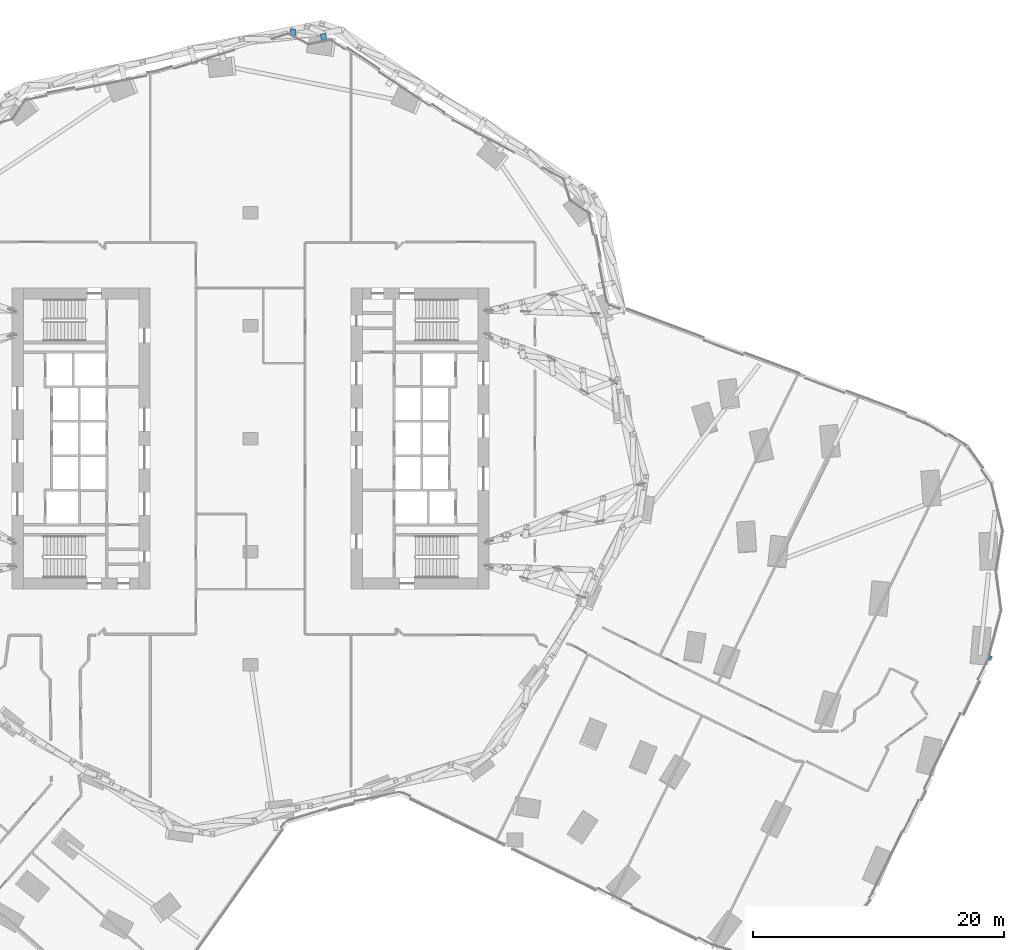
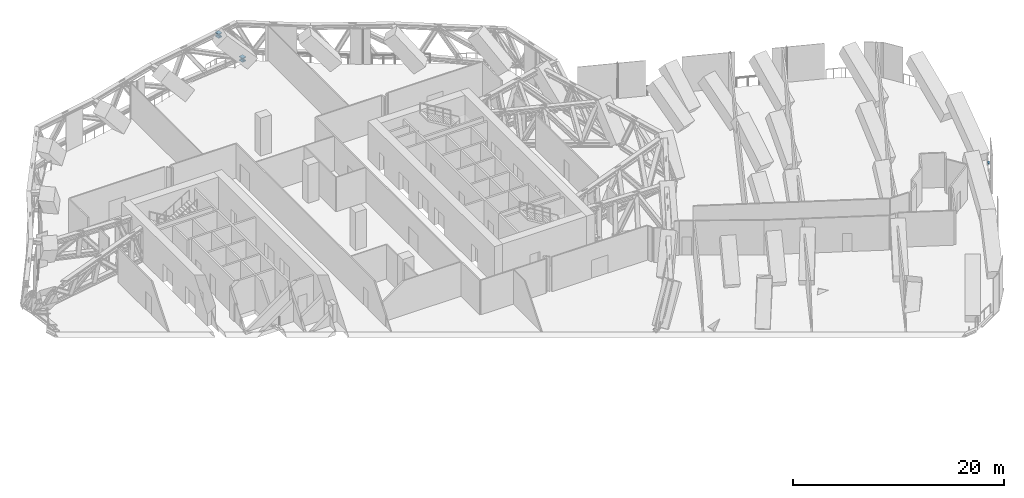
# One storey, part 17 of 34: 3 members, 1 element without a shape of its own.
"""IFC4 building model written with IfcOpenShell, lengths in metres."""

from ifc_helpers import new_model, si_unit, direction, frame, origin, origin_2d, place, context, subcontext, project, spatial, rectangle, i_section, extrude, material, material_profile, profile_set, type_object, element, aggregate, save


model = new_model("IFC4")

# Units and contexts
model_context = context("Model", 3, precision=1e-05, world=origin(), true_north=direction((0.0, 1.0)))
body_context = subcontext(model_context, "Body", "Model", "MODEL_VIEW")
ifc_project = project(units=[si_unit("LENGTHUNIT", "METRE"), si_unit("AREAUNIT", "SQUARE_METRE"), si_unit("VOLUMEUNIT", "CUBIC_METRE"), si_unit("PLANEANGLEUNIT", "RADIAN"), si_unit("MASSUNIT", "GRAM", prefix="KILO")], contexts=[model_context])

# Site, building, storey
site_placement = place(None, origin())
site = spatial("IfcSite", under=ifc_project, at=site_placement, CompositionType="ELEMENT")
building_placement = place(site_placement, origin())
building = spatial("IfcBuilding", under=site, at=building_placement, Name="Orlundy Tower", CompositionType="ELEMENT")
storey_placement = place(building_placement, frame((0.0, 0.0, 76.300048828125)))
storey = spatial("IfcBuildingStorey", under=building, at=storey_placement, Name="L18", CompositionType="ELEMENT", Elevation=76.300048828125)

# Members
ifc_material_1 = material(Name="Steel ASTM A992 Gr 50", Category="steel")
ifc_material_profile_1 = material_profile(ifc_material_1, i_section(OverallWidth=0.43212890625, OverallDepth=0.497802734375, WebThickness=0.0556640625, FlangeThickness=0.0888671875, at=origin_2d()), Name="W14X500")
ifc_profile_set_1 = profile_set([ifc_material_profile_1], Name="Steel ASTM A992 Gr 50")
member_type_1 = type_object("IfcMemberType", Name="BELT TRUSS strut W14X500", PredefinedType="STRUT", material=ifc_profile_set_1)
for number, where, z_axis, x_axis, name in (
    (1, (5.86181640625, 31.7470703125, 0.28466796875), (-0.196299829834, 0.980543918857, 0.0), (-0.980543918857, -0.196299829834, 0.0), "Belt truss bracket C-H22"),
    (2, (3.434814453125, 32.1025390625, 3.715087890625), (-0.196758976127, 0.980451888322, 0.0), (-0.980451888322, -0.196758976127, 0.0), "Belt truss bracket C-H22"),
):
    element("IfcMember", number, at=place(storey_placement, frame(where, z_axis=z_axis, x_axis=x_axis)), inside=storey, type_object=member_type_1, Name=name, PredefinedType="STRUT", context=body_context, shape_type="SweptSolid", body=[
        extrude(i_section(OverallWidth=0.43212890625, OverallDepth=0.497802734375, WebThickness=0.0556640625, FlangeThickness=0.0888671875, at=origin_2d()), origin(), (0.0, 0.0, 1.0), 0.51123046875),
    ])

# Curtain wall, member
ifc_material_2 = material(Name="Aluminium bronze anodised", Category="aluminium")
curtain_wall_type = type_object("IfcCurtainWallType", Name="CW4 wall", PredefinedType="NOTDEFINED", material=ifc_material_2)
curtain_wall_placement = place(storey_placement, origin())
curtain_wall = element("IfcCurtainWall", 3, at=curtain_wall_placement, inside=storey, type_object=curtain_wall_type, Name="CW4 run 022", PredefinedType="NOTDEFINED")
ifc_material_3 = material(Name="Aluminium bronze anodised", Category="aluminium")
ifc_material_profile_2 = material_profile(ifc_material_3, rectangle(XDim=0.199951171875, YDim=0.14990234375, at=origin_2d()), Name="CW4 transom 200x150")
ifc_profile_set_2 = profile_set([ifc_material_profile_2], Name="Aluminium bronze anodised")
member_type_2 = type_object("IfcMemberType", Name="CW4 transom 200x150", PredefinedType="USERDEFINED", material=ifc_profile_set_2)
member_placement = place(storey_placement, frame((59.0107421875, -17.318359375, -0.375), z_axis=(-0.440682374762, -0.897663101934, 0.0), x_axis=(0.897663101934, -0.440682374762, 0.0)))
member = element("IfcMember", 4, at=member_placement, type_object=member_type_2, Name="CW4 transom", ObjectType="TRANSOM", PredefinedType="USERDEFINED", context=body_context, shape_type="SweptSolid", body=[
    extrude(rectangle(XDim=0.199951171875, YDim=0.14990234375, at=origin_2d()), origin(), (0.0, 0.0, 1.0), 0.389404296875),
])
aggregate(curtain_wall, [member])

save(model, "model.ifc")
